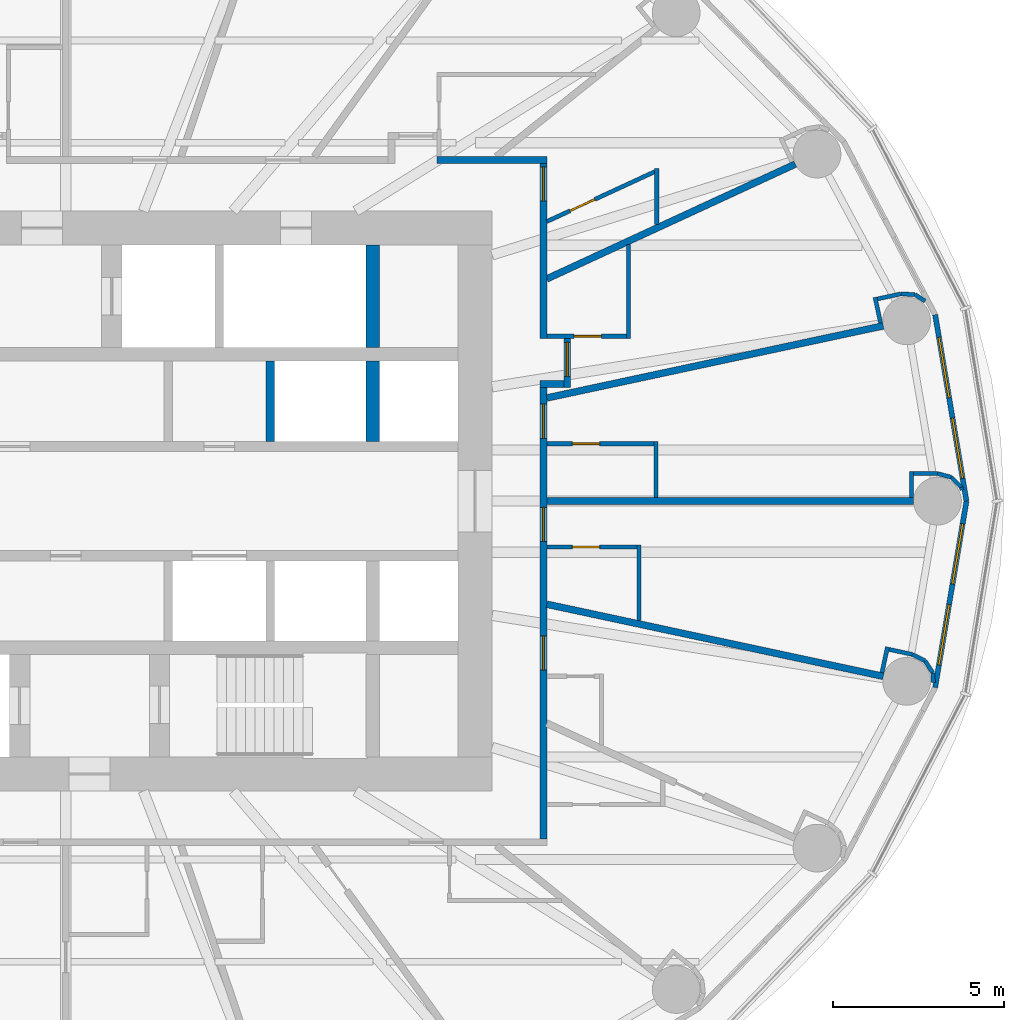
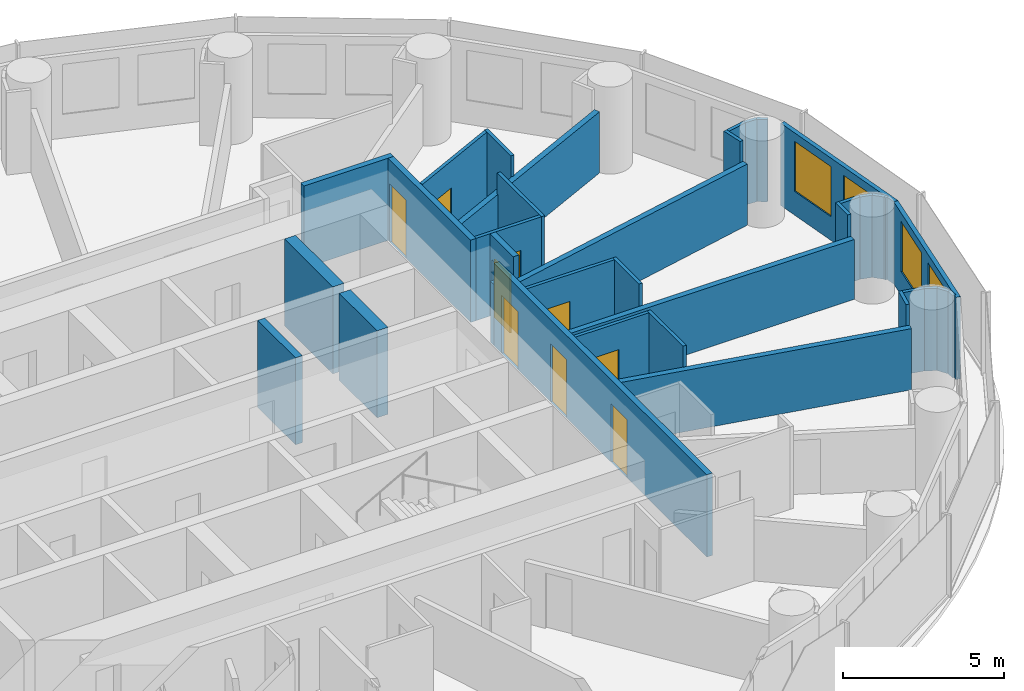
# One storey, part 11 of 16: 36 walls, 9 doors, 4 windows, 13 openings.
"""IFC4 building model written with IfcOpenShell, lengths in metres."""

from ifc_helpers import new_model, si_unit, direction, frame, frame_2d, origin, place, context, subcontext, project, spatial, rectangle, extrude, material, layer, layer_set, type_object, element, fill, save


model = new_model("IFC4")

# Units and contexts
model_context = context("Model", 3, precision=1e-05, world=origin(), true_north=direction((0.0, 1.0)))
body_context = subcontext(model_context, "Body", "Model", "MODEL_VIEW")
ifc_project = project(units=[si_unit("LENGTHUNIT", "METRE"), si_unit("AREAUNIT", "SQUARE_METRE"), si_unit("VOLUMEUNIT", "CUBIC_METRE"), si_unit("PLANEANGLEUNIT", "RADIAN"), si_unit("MASSUNIT", "GRAM", prefix="KILO")], contexts=[model_context])

# Site, building, storey
site_placement = place(None, origin())
site = spatial("IfcSite", under=ifc_project, at=site_placement, CompositionType="ELEMENT")
building_placement = place(site_placement, origin())
building = spatial("IfcBuilding", under=site, at=building_placement, Name="Hankou Lantern Tower", CompositionType="ELEMENT")
storey_placement = place(building_placement, frame((0.0, 0.0, 73.800048828125)))
storey = spatial("IfcBuildingStorey", under=building, at=storey_placement, Name="L18", CompositionType="ELEMENT", Elevation=73.800048828125)

# Walls
ifc_material_1 = material(Name="Concrete C60", Category="concrete")
ifc_layer_1 = layer(ifc_material_1, 0.39990234375)
ifc_layer_set_1 = layer_set([ifc_layer_1], Name="Concrete C60")
wall_type_1 = type_object("IfcWallType", Name="CW4 CORE CROSS WALL 400", PredefinedType="SHEAR", material=ifc_layer_set_1)
wall_1_placement = place(storey_placement, frame((9.0, 4.5, 0.0), z_axis=(0.0, 0.0, 1.0), x_axis=(0.0, 1.0, 0.0)))
element("IfcWall", 1, at=wall_1_placement, inside=storey, type_object=wall_type_1, Name="Core strip wall L18", PredefinedType="SHEAR", context=body_context, shape_type="SweptSolid", body=[
    extrude(rectangle(XDim=3.0, YDim=0.39990234375, at=frame_2d((1.5, 0.0))), origin(), (0.0, 0.0, 1.0), 3.300048828125),
])
wall_2_placement = place(storey_placement, frame((9.0, 1.75, 0.0), z_axis=(0.0, 0.0, 1.0), x_axis=(0.0, 1.0, 0.0)))
element("IfcWall", 2, at=wall_2_placement, inside=storey, type_object=wall_type_1, Name="Core strip wall L18", PredefinedType="SHEAR", context=body_context, shape_type="SweptSolid", body=[
    extrude(rectangle(XDim=2.35009765625, YDim=0.39990234375, at=frame_2d((1.175048828125, 0.0))), origin(), (0.0, 0.0, 1.0), 3.300048828125),
])

# Wall, openings, windows
ifc_material_2 = material(Name="Aluminium spandrel panel on steel studs", Category="steel")
ifc_layer_2 = layer(ifc_material_2, 0.14990234375)
ifc_layer_set_2 = layer_set([ifc_layer_2], Name="Aluminium spandrel panel on steel studs")
wall_type_2 = type_object("IfcWallType", Name="EW1 INNER SKIN WALL 150", PredefinedType="ELEMENTEDWALL", material=ifc_layer_set_2)
wall_3_placement = place(storey_placement, frame((26.39990234375, 0.0, 0.0), z_axis=(0.0, 0.0, 1.0), x_axis=(-0.165642551694, 0.986185857264, 0.0)))
wall_3 = element("IfcWall", 3, at=wall_3_placement, inside=storey, type_object=wall_type_2, Name="Inner skin R01-R02 L18", PredefinedType="ELEMENTEDWALL", context=body_context, shape_type="SweptSolid", body=[
    extrude(rectangle(XDim=5.538818359375, YDim=0.14990234375, at=frame_2d((2.76953125, 0.0))), origin(), (0.0, 0.0, 1.0), 3.119873046875),
])
opening_1_placement = place(wall_3_placement, frame((0.66943359375, 0.0, 0.89990234375)))
opening_1 = element("IfcOpeningElement", 4, at=opening_1_placement, cuts=wall_3, Name="Opening W1", PredefinedType="OPENING", context=body_context, shape_type="SweptSolid", body=[
    extrude(rectangle(XDim=1.800048828125, YDim=1.89990234375, at=frame_2d((0.89990234375, 0.949951171875))), frame((0.0, 0.0849609375, 0.0), z_axis=(0.0, -1.0, 0.0), x_axis=(1.0, 0.0, 0.0)), (0.0, 0.0, 1.0), 0.169921875),
])
opening_2_placement = place(wall_3_placement, frame((3.069580078125, 0.0, 0.89990234375)))
opening_2 = element("IfcOpeningElement", 5, at=opening_2_placement, cuts=wall_3, Name="Opening W1", PredefinedType="OPENING", context=body_context, shape_type="SweptSolid", body=[
    extrude(rectangle(XDim=1.800048828125, YDim=1.89990234375, at=frame_2d((0.89990234375, 0.949951171875))), frame((0.0, 0.0849609375, 0.0), z_axis=(0.0, -1.0, 0.0), x_axis=(1.0, 0.0, 0.0)), (0.0, 0.0, 1.0), 0.169921875),
])
ifc_material_3 = material(Name="Aluminium framed double glazed window", Category="aluminium")
window_type = type_object("IfcWindowType", Name="W1 GUEST ROOM WINDOW 1800X1900", PartitioningType="DOUBLE_PANEL_VERTICAL", PredefinedType="WINDOW", material=ifc_material_3)
window_1_placement = place(opening_1_placement, origin())
window_1 = element("IfcWindow", 6, at=window_1_placement, inside=storey, type_object=window_type, Name="Window R01.1 L18", OverallHeight=1.89990234375, OverallWidth=1.800048828125, PartitioningType="SINGLE_PANEL", PredefinedType="WINDOW", context=body_context, shape_type="SweptSolid", body=[
    extrude(rectangle(XDim=1.800048828125, YDim=1.89990234375, at=frame_2d((0.89990234375, 0.949951171875))), frame((0.0, 0.030029296875, 0.0), z_axis=(0.0, -1.0, 0.0), x_axis=(1.0, 0.0, 0.0)), (0.0, 0.0, 1.0), 0.06005859375),
])
fill(opening_1, window_1)
window_2_placement = place(opening_2_placement, origin())
window_2 = element("IfcWindow", 7, at=window_2_placement, inside=storey, type_object=window_type, Name="Window R01.2 L18", OverallHeight=1.89990234375, OverallWidth=1.800048828125, PartitioningType="SINGLE_PANEL", PredefinedType="WINDOW", context=body_context, shape_type="SweptSolid", body=[
    extrude(rectangle(XDim=1.800048828125, YDim=1.89990234375, at=frame_2d((0.89990234375, 0.949951171875))), frame((0.0, 0.030029296875, 0.0), z_axis=(0.0, -1.0, 0.0), x_axis=(1.0, 0.0, 0.0)), (0.0, 0.0, 1.0), 0.06005859375),
])
fill(opening_2, window_2)

wall_4_placement = place(storey_placement, frame((25.482421875, -5.46240234375, 0.0), z_axis=(0.0, 0.0, 1.0), x_axis=(0.165642551694, 0.986185857264, 0.0)))
wall_4 = element("IfcWall", 8, at=wall_4_placement, inside=storey, type_object=wall_type_2, Name="Inner skin R24-R01 L18", PredefinedType="ELEMENTEDWALL", context=body_context, shape_type="SweptSolid", body=[
    extrude(rectangle(XDim=5.538818359375, YDim=0.14990234375, at=frame_2d((2.76953125, 0.0))), origin(), (0.0, 0.0, 1.0), 3.119873046875),
])
opening_3_placement = place(wall_4_placement, frame((0.66943359375, 0.0, 0.89990234375)))
opening_3 = element("IfcOpeningElement", 9, at=opening_3_placement, cuts=wall_4, Name="Opening W1", PredefinedType="OPENING", context=body_context, shape_type="SweptSolid", body=[
    extrude(rectangle(XDim=1.800048828125, YDim=1.89990234375, at=frame_2d((0.89990234375, 0.949951171875))), frame((0.0, 0.0849609375, 0.0), z_axis=(0.0, -1.0, 0.0), x_axis=(1.0, 0.0, 0.0)), (0.0, 0.0, 1.0), 0.169921875),
])
opening_4_placement = place(wall_4_placement, frame((3.069580078125, 0.0, 0.89990234375)))
opening_4 = element("IfcOpeningElement", 10, at=opening_4_placement, cuts=wall_4, Name="Opening W1", PredefinedType="OPENING", context=body_context, shape_type="SweptSolid", body=[
    extrude(rectangle(XDim=1.800048828125, YDim=1.89990234375, at=frame_2d((0.89990234375, 0.949951171875))), frame((0.0, 0.0849609375, 0.0), z_axis=(0.0, -1.0, 0.0), x_axis=(1.0, 0.0, 0.0)), (0.0, 0.0, 1.0), 0.169921875),
])
window_3_placement = place(opening_3_placement, origin())
window_3 = element("IfcWindow", 11, at=window_3_placement, inside=storey, type_object=window_type, Name="Window R24.1 L18", OverallHeight=1.89990234375, OverallWidth=1.800048828125, PartitioningType="SINGLE_PANEL", PredefinedType="WINDOW", context=body_context, shape_type="SweptSolid", body=[
    extrude(rectangle(XDim=1.800048828125, YDim=1.89990234375, at=frame_2d((0.89990234375, 0.949951171875))), frame((0.0, 0.030029296875, 0.0), z_axis=(0.0, -1.0, 0.0), x_axis=(1.0, 0.0, 0.0)), (0.0, 0.0, 1.0), 0.06005859375),
])
fill(opening_3, window_3)
window_4_placement = place(opening_4_placement, origin())
window_4 = element("IfcWindow", 12, at=window_4_placement, inside=storey, type_object=window_type, Name="Window R24.2 L18", OverallHeight=1.89990234375, OverallWidth=1.800048828125, PartitioningType="SINGLE_PANEL", PredefinedType="WINDOW", context=body_context, shape_type="SweptSolid", body=[
    extrude(rectangle(XDim=1.800048828125, YDim=1.89990234375, at=frame_2d((0.89990234375, 0.949951171875))), frame((0.0, 0.030029296875, 0.0), z_axis=(0.0, -1.0, 0.0), x_axis=(1.0, 0.0, 0.0)), (0.0, 0.0, 1.0), 0.06005859375),
])
fill(opening_4, window_4)

# Walls
ifc_material_4 = material(Name="Masonry lightweight concrete block", Category="masonry")
ifc_layer_3 = layer(ifc_material_4, 0.199951171875)
ifc_layer_set_3 = layer_set([ifc_layer_3], Name="Masonry lightweight concrete block")
wall_type_3 = type_object("IfcWallType", Name="IW1 GUEST ROOM PARTY WALL 200", PredefinedType="PARTITIONING", material=ifc_layer_set_3)
wall_5_placement = place(storey_placement, frame((14.10009765625, 0.0, 0.0), z_axis=(0.0, 0.0, 1.0), x_axis=(1.0, 0.0, 0.0)))
element("IfcWall", 13, at=wall_5_placement, inside=storey, type_object=wall_type_3, Name="Party wall R01", PredefinedType="PARTITIONING", context=body_context, shape_type="SweptSolid", body=[
    extrude(rectangle(XDim=10.75, YDim=0.199951171875, at=frame_2d((5.375, 0.0))), origin(), (0.0, 0.0, 1.0), 2.27001953125),
])
wall_6_placement = place(storey_placement, frame((14.10009765625, 3.0224609375, 0.0), z_axis=(0.0, 0.0, 1.0), x_axis=(0.977790014929, 0.209586943072, 0.0)))
element("IfcWall", 14, at=wall_6_placement, inside=storey, type_object=wall_type_3, Name="Party wall R02", PredefinedType="PARTITIONING", context=body_context, shape_type="SweptSolid", body=[
    extrude(rectangle(XDim=10.086669921875, YDim=0.199951171875, at=frame_2d((5.04345703125, 0.0))), origin(), (0.0, 0.0, 1.0), 2.320068359375),
])
wall_7_placement = place(storey_placement, frame((14.10009765625, 6.512451171875, 0.0), z_axis=(0.0, 0.0, 1.0), x_axis=(0.907832871056, 0.419332181247, 0.0)))
element("IfcWall", 15, at=wall_7_placement, inside=storey, type_object=wall_type_3, Name="Party wall R03", PredefinedType="PARTITIONING", context=body_context, shape_type="SweptSolid", body=[
    extrude(rectangle(XDim=8.02294921875, YDim=0.199951171875, at=frame_2d((4.011474609375, 0.0))), origin(), (0.0, 0.0, 1.0), 2.320068359375),
])
wall_8_placement = place(storey_placement, frame((14.10009765625, -3.0224609375, 0.0), z_axis=(0.0, 0.0, 1.0), x_axis=(0.977790014929, -0.209586943072, 0.0)))
element("IfcWall", 16, at=wall_8_placement, inside=storey, type_object=wall_type_3, Name="Party wall R24", PredefinedType="PARTITIONING", context=body_context, shape_type="SweptSolid", body=[
    extrude(rectangle(XDim=10.086669921875, YDim=0.199951171875, at=frame_2d((5.04345703125, 0.0))), origin(), (0.0, 0.0, 1.0), 2.320068359375),
])

# Wall, opening, door
ifc_material_5 = material(Name="Masonry lightweight concrete block", Category="masonry")
ifc_layer_4 = layer(ifc_material_5, 0.199951171875)
ifc_layer_set_4 = layer_set([ifc_layer_4], Name="Masonry lightweight concrete block")
wall_type_4 = type_object("IfcWallType", Name="IW2 CORRIDOR WALL 200", PredefinedType="PARTITIONING", material=ifc_layer_set_4)
wall_9_placement = place(storey_placement, frame((14.699951171875, 3.33251953125, 0.0), z_axis=(0.0, 0.0, 1.0), x_axis=(0.0, 1.0, 0.0)))
wall_9 = element("IfcWall", 17, at=wall_9_placement, inside=storey, type_object=wall_type_4, Name="Corridor recess wall 1807 back", PredefinedType="PARTITIONING", context=body_context, shape_type="SweptSolid", body=[
    extrude(rectangle(XDim=1.43994140625, YDim=0.199951171875, at=frame_2d((0.719970703125, 0.0))), origin(), (0.0, 0.0, 1.0), 3.119873046875),
])
opening_5_placement = place(wall_9_placement, frame((0.320068359375, 0.0, 0.0)))
opening_5 = element("IfcOpeningElement", 18, at=opening_5_placement, cuts=wall_9, Name="Opening D1", PredefinedType="OPENING", context=body_context, shape_type="SweptSolid", body=[
    extrude(rectangle(XDim=1.0, YDim=2.199951171875, at=frame_2d((0.5, 1.10009765625))), frame((0.0, 0.10986328125, 0.0), z_axis=(0.0, -1.0, 0.0), x_axis=(1.0, 0.0, 0.0)), (0.0, 0.0, 1.0), 0.219970703125),
])
ifc_material_6 = material(Name="Steel door leaf", Category="steel")
door_type_1 = type_object("IfcDoorType", Name="D1 GUEST ROOM DOOR 1000X2200", OperationType="SINGLE_SWING_LEFT", PredefinedType="DOOR", material=ifc_material_6)
door_1_placement = place(opening_5_placement, origin())
door_1 = element("IfcDoor", 19, at=door_1_placement, inside=storey, type_object=door_type_1, Name="Guest room door 1807", OperationType="SINGLE_SWING_RIGHT", OverallHeight=2.199951171875, OverallWidth=1.0, PredefinedType="DOOR", context=body_context, shape_type="SweptSolid", body=[
    extrude(rectangle(XDim=1.0, YDim=2.199951171875, at=frame_2d((0.5, 1.10009765625))), frame((0.0, 0.02490234375, 0.0), z_axis=(0.0, -1.0, 0.0), x_axis=(1.0, 0.0, 0.0)), (0.0, 0.0, 1.0), 0.050048828125),
])
fill(opening_5, door_1)

# Wall
wall_10_placement = place(storey_placement, frame((13.89990234375, 3.4326171875, 0.0), z_axis=(0.0, 0.0, 1.0), x_axis=(1.0, 0.0, 0.0)))
element("IfcWall", 20, at=wall_10_placement, inside=storey, type_object=wall_type_4, Name="Corridor recess wall 1807 side", PredefinedType="PARTITIONING", context=body_context, shape_type="SweptSolid", body=[
    extrude(rectangle(XDim=0.7001953125, YDim=0.199951171875, at=frame_2d((0.35009765625, 0.0))), origin(), (0.0, 0.0, 1.0), 2.320068359375),
])

# Wall, openings, doors
wall_11_placement = place(storey_placement, frame((14.0, -9.89990234375, 0.0), z_axis=(0.0, 0.0, 1.0), x_axis=(0.0, 1.0, 0.0)))
wall_11 = element("IfcWall", 21, at=wall_11_placement, inside=storey, type_object=wall_type_4, Name="Corridor wall east", PredefinedType="PARTITIONING", context=body_context, shape_type="SweptSolid", body=[
    extrude(rectangle(XDim=13.232421875, YDim=0.199951171875, at=frame_2d((6.6162109375, 0.0))), origin(), (0.0, 0.0, 1.0), 3.119873046875),
])
opening_6_placement = place(wall_11_placement, frame((4.947509765625, 0.0, 0.0)))
opening_6 = element("IfcOpeningElement", 22, at=opening_6_placement, cuts=wall_11, Name="Opening D2", PredefinedType="OPENING", context=body_context, shape_type="SweptSolid", body=[
    extrude(rectangle(XDim=1.0, YDim=2.199951171875, at=frame_2d((0.5, 1.10009765625))), frame((0.0, 0.10986328125, 0.0), z_axis=(0.0, -1.0, 0.0), x_axis=(1.0, 0.0, 0.0)), (0.0, 0.0, 1.0), 0.219970703125),
])
opening_7_placement = place(wall_11_placement, frame((8.717529296875, 0.0, 0.0)))
opening_7 = element("IfcOpeningElement", 23, at=opening_7_placement, cuts=wall_11, Name="Opening D1", PredefinedType="OPENING", context=body_context, shape_type="SweptSolid", body=[
    extrude(rectangle(XDim=1.0, YDim=2.199951171875, at=frame_2d((0.5, 1.10009765625))), frame((0.0, 0.10986328125, 0.0), z_axis=(0.0, -1.0, 0.0), x_axis=(1.0, 0.0, 0.0)), (0.0, 0.0, 1.0), 0.219970703125),
])
opening_8_placement = place(wall_11_placement, frame((11.739990234375, 0.0, 0.0)))
opening_8 = element("IfcOpeningElement", 24, at=opening_8_placement, cuts=wall_11, Name="Opening D1", PredefinedType="OPENING", context=body_context, shape_type="SweptSolid", body=[
    extrude(rectangle(XDim=1.0, YDim=2.199951171875, at=frame_2d((0.5, 1.10009765625))), frame((0.0, 0.10986328125, 0.0), z_axis=(0.0, -1.0, 0.0), x_axis=(1.0, 0.0, 0.0)), (0.0, 0.0, 1.0), 0.219970703125),
])
door_2_placement = place(opening_7_placement, origin())
door_2 = element("IfcDoor", 25, at=door_2_placement, inside=storey, type_object=door_type_1, Name="Guest room door 1805", OperationType="SINGLE_SWING_LEFT", OverallHeight=2.199951171875, OverallWidth=1.0, PredefinedType="DOOR", context=body_context, shape_type="SweptSolid", body=[
    extrude(rectangle(XDim=1.0, YDim=2.199951171875, at=frame_2d((0.5, 1.10009765625))), frame((0.0, 0.02490234375, 0.0), z_axis=(0.0, -1.0, 0.0), x_axis=(1.0, 0.0, 0.0)), (0.0, 0.0, 1.0), 0.050048828125),
])
fill(opening_7, door_2)
door_3_placement = place(opening_8_placement, origin())
door_3 = element("IfcDoor", 26, at=door_3_placement, inside=storey, type_object=door_type_1, Name="Guest room door 1806", OperationType="SINGLE_SWING_LEFT", OverallHeight=2.199951171875, OverallWidth=1.0, PredefinedType="DOOR", context=body_context, shape_type="SweptSolid", body=[
    extrude(rectangle(XDim=1.0, YDim=2.199951171875, at=frame_2d((0.5, 1.10009765625))), frame((0.0, 0.02490234375, 0.0), z_axis=(0.0, -1.0, 0.0), x_axis=(1.0, 0.0, 0.0)), (0.0, 0.0, 1.0), 0.050048828125),
])
fill(opening_8, door_3)
ifc_material_7 = material(Name="Steel door leaf", Category="steel")
door_type_2 = type_object("IfcDoorType", Name="D2 SUITE DOOR 1000X2200", OperationType="SINGLE_SWING_LEFT", PredefinedType="DOOR", material=ifc_material_7)
door_4_placement = place(opening_6_placement, origin())
door_4 = element("IfcDoor", 27, at=door_4_placement, inside=storey, type_object=door_type_2, Name="Suite door 1804C", OperationType="SINGLE_SWING_LEFT", OverallHeight=2.199951171875, OverallWidth=1.0, PredefinedType="DOOR", context=body_context, shape_type="SweptSolid", body=[
    extrude(rectangle(XDim=1.0, YDim=2.199951171875, at=frame_2d((0.5, 1.10009765625))), frame((0.0, 0.02490234375, 0.0), z_axis=(0.0, -1.0, 0.0), x_axis=(1.0, 0.0, 0.0)), (0.0, 0.0, 1.0), 0.050048828125),
])
fill(opening_6, door_4)

# Wall, opening, door
wall_12_placement = place(storey_placement, frame((14.0, 4.7724609375, 0.0), z_axis=(0.0, 0.0, 1.0), x_axis=(0.0, 1.0, 0.0)))
wall_12 = element("IfcWall", 28, at=wall_12_placement, inside=storey, type_object=wall_type_4, Name="Corridor wall east", PredefinedType="PARTITIONING", context=body_context, shape_type="SweptSolid", body=[
    extrude(rectangle(XDim=5.12744140625, YDim=0.199951171875, at=frame_2d((2.563720703125, 0.0))), origin(), (0.0, 0.0, 1.0), 3.119873046875),
])
opening_9_placement = place(wall_12_placement, frame((4.02490234375, 0.0, 0.0)))
opening_9 = element("IfcOpeningElement", 29, at=opening_9_placement, cuts=wall_12, Name="Opening D1", PredefinedType="OPENING", context=body_context, shape_type="SweptSolid", body=[
    extrude(rectangle(XDim=1.0, YDim=2.199951171875, at=frame_2d((0.5, 1.10009765625))), frame((0.0, 0.10986328125, 0.0), z_axis=(0.0, -1.0, 0.0), x_axis=(1.0, 0.0, 0.0)), (0.0, 0.0, 1.0), 0.219970703125),
])
door_5_placement = place(opening_9_placement, origin())
door_5 = element("IfcDoor", 30, at=door_5_placement, inside=storey, type_object=door_type_1, Name="Guest room door 1808", OperationType="SINGLE_SWING_RIGHT", OverallHeight=2.199951171875, OverallWidth=1.0, PredefinedType="DOOR", context=body_context, shape_type="SweptSolid", body=[
    extrude(rectangle(XDim=1.0, YDim=2.199951171875, at=frame_2d((0.5, 1.10009765625))), frame((0.0, 0.02490234375, 0.0), z_axis=(0.0, -1.0, 0.0), x_axis=(1.0, 0.0, 0.0)), (0.0, 0.0, 1.0), 0.050048828125),
])
fill(opening_9, door_5)

# Walls
wall_13_placement = place(storey_placement, frame((10.885009765625, 10.0, 0.0), z_axis=(0.0, 0.0, 1.0), x_axis=(1.0, 0.0, 0.0)))
element("IfcWall", 31, at=wall_13_placement, inside=storey, type_object=wall_type_4, Name="Corridor wall north", PredefinedType="PARTITIONING", context=body_context, shape_type="SweptSolid", body=[
    extrude(rectangle(XDim=3.215087890625, YDim=0.199951171875, at=frame_2d((1.607421875, 0.0))), origin(), (0.0, 0.0, 1.0), 3.119873046875),
])
ifc_material_8 = material(Name="Masonry lightweight concrete block", Category="masonry")
ifc_layer_5 = layer(ifc_material_8, 0.1201171875)
ifc_layer_set_5 = layer_set([ifc_layer_5], Name="Masonry lightweight concrete block")
wall_type_5 = type_object("IfcWallType", Name="IW3 BATHROOM WALL 120", PredefinedType="PARTITIONING", material=ifc_layer_set_5)
wall_14_placement = place(storey_placement, frame((16.800048828125, -3.501220703125, 0.0), z_axis=(0.0, 0.0, 1.0), x_axis=(0.0, 1.0, 0.0)))
element("IfcWall", 32, at=wall_14_placement, inside=storey, type_object=wall_type_5, Name="Box wall 1805 1", PredefinedType="PARTITIONING", context=body_context, shape_type="SweptSolid", body=[
    extrude(rectangle(XDim=2.21875, YDim=0.1201171875, at=frame_2d((1.109375, 0.0))), origin(), (0.0, 0.0, 1.0), 3.119873046875),
])

# Wall, opening, door
wall_15_placement = place(storey_placement, frame((14.10009765625, -1.342529296875, 0.0), z_axis=(0.0, 0.0, 1.0), x_axis=(1.0, 0.0, 0.0)))
wall_15 = element("IfcWall", 33, at=wall_15_placement, inside=storey, type_object=wall_type_5, Name="Box wall 1805 1", PredefinedType="PARTITIONING", context=body_context, shape_type="SweptSolid", body=[
    extrude(rectangle(XDim=2.639892578125, YDim=0.1201171875, at=frame_2d((1.31982421875, 0.0))), origin(), (0.0, 0.0, 1.0), 3.119873046875),
])
opening_10_placement = place(wall_15_placement, frame((0.75, 0.0, 0.0)))
opening_10 = element("IfcOpeningElement", 34, at=opening_10_placement, cuts=wall_15, Name="Opening D3", PredefinedType="OPENING", context=body_context, shape_type="SweptSolid", body=[
    extrude(rectangle(XDim=0.800048828125, YDim=2.10009765625, at=frame_2d((0.39990234375, 1.050048828125))), frame((0.0, 0.070068359375, 0.0), z_axis=(0.0, -1.0, 0.0), x_axis=(1.0, 0.0, 0.0)), (0.0, 0.0, 1.0), 0.14013671875),
])
ifc_material_9 = material(Name="Timber door leaf", Category="wood")
door_type_3 = type_object("IfcDoorType", Name="D3 BATHROOM DOOR 800X2100", OperationType="SINGLE_SWING_LEFT", PredefinedType="DOOR", material=ifc_material_9)
door_6_placement = place(opening_10_placement, origin())
door_6 = element("IfcDoor", 35, at=door_6_placement, inside=storey, type_object=door_type_3, Name="En-suite bathroom 1805 door", OperationType="SINGLE_SWING_LEFT", OverallHeight=2.10009765625, OverallWidth=0.800048828125, PredefinedType="DOOR", context=body_context, shape_type="SweptSolid", body=[
    extrude(rectangle(XDim=0.800048828125, YDim=2.10009765625, at=frame_2d((0.39990234375, 1.050048828125))), frame((0.0, 0.02490234375, 0.0), z_axis=(0.0, -1.0, 0.0), x_axis=(1.0, 0.0, 0.0)), (0.0, 0.0, 1.0), 0.050048828125),
])
fill(opening_10, door_6)

# Wall
wall_16_placement = place(storey_placement, frame((17.300048828125, 0.10009765625, 0.0), z_axis=(0.0, 0.0, 1.0), x_axis=(0.0, 1.0, 0.0)))
element("IfcWall", 36, at=wall_16_placement, inside=storey, type_object=wall_type_5, Name="Box wall 1806 1", PredefinedType="PARTITIONING", context=body_context, shape_type="SweptSolid", body=[
    extrude(rectangle(XDim=1.639892578125, YDim=0.1201171875, at=frame_2d((0.81982421875, 0.0))), origin(), (0.0, 0.0, 1.0), 3.119873046875),
])

# Wall, opening, door
wall_17_placement = place(storey_placement, frame((14.10009765625, 1.679931640625, 0.0), z_axis=(0.0, 0.0, 1.0), x_axis=(1.0, 0.0, 0.0)))
wall_17 = element("IfcWall", 37, at=wall_17_placement, inside=storey, type_object=wall_type_5, Name="Box wall 1806 1", PredefinedType="PARTITIONING", context=body_context, shape_type="SweptSolid", body=[
    extrude(rectangle(XDim=3.139892578125, YDim=0.1201171875, at=frame_2d((1.56982421875, 0.0))), origin(), (0.0, 0.0, 1.0), 3.119873046875),
])
opening_11_placement = place(wall_17_placement, frame((0.75, 0.0, 0.0)))
opening_11 = element("IfcOpeningElement", 38, at=opening_11_placement, cuts=wall_17, Name="Opening D3", PredefinedType="OPENING", context=body_context, shape_type="SweptSolid", body=[
    extrude(rectangle(XDim=0.800048828125, YDim=2.10009765625, at=frame_2d((0.39990234375, 1.050048828125))), frame((0.0, 0.070068359375, 0.0), z_axis=(0.0, -1.0, 0.0), x_axis=(1.0, 0.0, 0.0)), (0.0, 0.0, 1.0), 0.14013671875),
])
door_7_placement = place(opening_11_placement, origin())
door_7 = element("IfcDoor", 39, at=door_7_placement, inside=storey, type_object=door_type_3, Name="En-suite bathroom 1806 door", OperationType="SINGLE_SWING_LEFT", OverallHeight=2.10009765625, OverallWidth=0.800048828125, PredefinedType="DOOR", context=body_context, shape_type="SweptSolid", body=[
    extrude(rectangle(XDim=0.800048828125, YDim=2.10009765625, at=frame_2d((0.39990234375, 1.050048828125))), frame((0.0, 0.02490234375, 0.0), z_axis=(0.0, -1.0, 0.0), x_axis=(1.0, 0.0, 0.0)), (0.0, 0.0, 1.0), 0.050048828125),
])
fill(opening_11, door_7)

# Wall
wall_18_placement = place(storey_placement, frame((16.5, 7.52099609375, 0.0), z_axis=(0.0, 0.0, 1.0), x_axis=(0.0, -1.0, 0.0)))
element("IfcWall", 40, at=wall_18_placement, inside=storey, type_object=wall_type_5, Name="Box wall 1807 1", PredefinedType="PARTITIONING", context=body_context, shape_type="SweptSolid", body=[
    extrude(rectangle(XDim=2.74853515625, YDim=0.1201171875, at=frame_2d((1.374267578125, 0.0))), origin(), (0.0, 0.0, 1.0), 3.119873046875),
])

# Wall, opening, door
wall_19_placement = place(storey_placement, frame((14.10009765625, 4.83251953125, 0.0), z_axis=(0.0, 0.0, 1.0), x_axis=(1.0, 0.0, 0.0)))
wall_19 = element("IfcWall", 41, at=wall_19_placement, inside=storey, type_object=wall_type_5, Name="Box wall 1807 1", PredefinedType="PARTITIONING", context=body_context, shape_type="SweptSolid", body=[
    extrude(rectangle(XDim=2.33984375, YDim=0.1201171875, at=frame_2d((1.169921875, 0.0))), origin(), (0.0, 0.0, 1.0), 3.119873046875),
])
opening_12_placement = place(wall_19_placement, frame((0.800048828125, 0.0, 0.0)))
opening_12 = element("IfcOpeningElement", 42, at=opening_12_placement, cuts=wall_19, Name="Opening D3", PredefinedType="OPENING", context=body_context, shape_type="SweptSolid", body=[
    extrude(rectangle(XDim=0.800048828125, YDim=2.10009765625, at=frame_2d((0.39990234375, 1.050048828125))), frame((0.0, 0.070068359375, 0.0), z_axis=(0.0, -1.0, 0.0), x_axis=(1.0, 0.0, 0.0)), (0.0, 0.0, 1.0), 0.14013671875),
])
door_8_placement = place(opening_12_placement, origin())
door_8 = element("IfcDoor", 43, at=door_8_placement, inside=storey, type_object=door_type_3, Name="En-suite bathroom 1807 door", OperationType="SINGLE_SWING_RIGHT", OverallHeight=2.10009765625, OverallWidth=0.800048828125, PredefinedType="DOOR", context=body_context, shape_type="SweptSolid", body=[
    extrude(rectangle(XDim=0.800048828125, YDim=2.10009765625, at=frame_2d((0.39990234375, 1.050048828125))), frame((0.0, 0.02490234375, 0.0), z_axis=(0.0, -1.0, 0.0), x_axis=(1.0, 0.0, 0.0)), (0.0, 0.0, 1.0), 0.050048828125),
])
fill(opening_12, door_8)

# Wall
wall_20_placement = place(storey_placement, frame((17.32275390625, 8.10107421875, 0.0), z_axis=(0.0, 0.0, 1.0), x_axis=(0.0, 1.0, 0.0)))
element("IfcWall", 44, at=wall_20_placement, inside=storey, type_object=wall_type_5, Name="Box wall 1808 1", PredefinedType="PARTITIONING", context=body_context, shape_type="SweptSolid", body=[
    extrude(rectangle(XDim=1.639892578125, YDim=0.1201171875, at=frame_2d((0.81982421875, 0.0))), origin(), (0.0, 0.0, 1.0), 3.119873046875),
])

# Wall, opening, door
wall_21_placement = place(storey_placement, frame((14.10009765625, 8.192626953125, 0.0), z_axis=(0.0, 0.0, 1.0), x_axis=(0.907836493557, 0.419324338628, 0.0)))
wall_21 = element("IfcWall", 45, at=wall_21_placement, inside=storey, type_object=wall_type_5, Name="Box wall 1808 1", PredefinedType="PARTITIONING", context=body_context, shape_type="SweptSolid", body=[
    extrude(rectangle(XDim=3.48974609375, YDim=0.1201171875, at=frame_2d((1.744873046875, 0.0))), origin(), (0.0, 0.0, 1.0), 3.119873046875),
])
opening_13_placement = place(wall_21_placement, frame((0.75, 0.0, 0.0)))
opening_13 = element("IfcOpeningElement", 46, at=opening_13_placement, cuts=wall_21, Name="Opening D3", PredefinedType="OPENING", context=body_context, shape_type="SweptSolid", body=[
    extrude(rectangle(XDim=0.800048828125, YDim=2.10009765625, at=frame_2d((0.39990234375, 1.050048828125))), frame((0.0, 0.070068359375, 0.0), z_axis=(0.0, -1.0, 0.0), x_axis=(1.0, 0.0, 0.0)), (0.0, 0.0, 1.0), 0.14013671875),
])
door_9_placement = place(opening_13_placement, origin())
door_9 = element("IfcDoor", 47, at=door_9_placement, inside=storey, type_object=door_type_3, Name="En-suite bathroom 1808 door", OperationType="SINGLE_SWING_LEFT", OverallHeight=2.10009765625, OverallWidth=0.800048828125, PredefinedType="DOOR", context=body_context, shape_type="SweptSolid", body=[
    extrude(rectangle(XDim=0.800048828125, YDim=2.10009765625, at=frame_2d((0.39990234375, 1.050048828125))), frame((0.0, 0.02490234375, 0.0), z_axis=(0.0, -1.0, 0.0), x_axis=(1.0, 0.0, 0.0)), (0.0, 0.0, 1.0), 0.050048828125),
])
fill(opening_13, door_9)

# Walls
ifc_material_10 = material(Name="Masonry lightweight concrete block", Category="masonry")
ifc_layer_6 = layer(ifc_material_10, 0.1201171875)
ifc_layer_set_6 = layer_set([ifc_layer_6], Name="Masonry lightweight concrete block")
wall_type_6 = type_object("IfcWallType", Name="IW4 PARTITION 120", PredefinedType="PARTITIONING", material=ifc_layer_set_6)
wall_22_placement = place(storey_placement, frame((24.7900390625, 0.10009765625, 0.0), z_axis=(0.0, 0.0, 1.0), x_axis=(0.0, 1.0, 0.0)))
element("IfcWall", 48, at=wall_22_placement, inside=storey, type_object=wall_type_6, Name="Column casing R01 return", PredefinedType="PARTITIONING", context=body_context, shape_type="SweptSolid", body=[
    extrude(rectangle(XDim=0.767333984375, YDim=0.1201171875, at=frame_2d((0.3837890625, 0.0))), origin(), (0.0, 0.0, 1.0), 3.119873046875),
])
wall_23_placement = place(storey_placement, frame((24.85009765625, 0.8076171875, 0.0), z_axis=(0.0, 0.0, 1.0), x_axis=(1.0, 0.0, 0.0)))
element("IfcWall", 49, at=wall_23_placement, inside=storey, type_object=wall_type_6, Name="Column casing R01", PredefinedType="PARTITIONING", context=body_context, shape_type="SweptSolid", body=[
    extrude(rectangle(XDim=0.699951171875, YDim=0.1201171875, at=frame_2d((0.35009765625, 0.0))), origin(), (0.0, 0.0, 1.0), 3.119873046875),
])
wall_24_placement = place(storey_placement, frame((25.550048828125, 0.8076171875, 0.0), z_axis=(0.0, 0.0, 1.0), x_axis=(0.965807183573, -0.2592614205, 0.0)))
element("IfcWall", 50, at=wall_24_placement, inside=storey, type_object=wall_type_6, Name="Column casing R01", PredefinedType="PARTITIONING", context=body_context, shape_type="SweptSolid", body=[
    extrude(rectangle(XDim=0.418212890625, YDim=0.1201171875, at=frame_2d((0.208984375, 0.0))), origin(), (0.0, 0.0, 1.0), 3.119873046875),
])
wall_25_placement = place(storey_placement, frame((25.953857421875, 0.69921875, 0.0), z_axis=(0.0, 0.0, 1.0), x_axis=(0.707106781187, -0.707106781187, 0.0)))
element("IfcWall", 51, at=wall_25_placement, inside=storey, type_object=wall_type_6, Name="Column casing R01", PredefinedType="PARTITIONING", context=body_context, shape_type="SweptSolid", body=[
    extrude(rectangle(XDim=0.417724609375, YDim=0.1201171875, at=frame_2d((0.208984375, 0.0))), origin(), (0.0, 0.0, 1.0), 3.119873046875),
])
wall_26_placement = place(storey_placement, frame((26.249267578125, 0.40380859375, 0.0), z_axis=(0.0, 0.0, 1.0), x_axis=(0.259754282609, -0.965674744759, 0.0)))
element("IfcWall", 52, at=wall_26_placement, inside=storey, type_object=wall_type_6, Name="Column casing R01", PredefinedType="PARTITIONING", context=body_context, shape_type="SweptSolid", body=[
    extrude(rectangle(XDim=0.079833984375, YDim=0.1201171875, at=frame_2d((0.0400390625, 0.0))), origin(), (0.0, 0.0, 1.0), 3.119873046875),
])
wall_27_placement = place(storey_placement, frame((23.8828125, 5.2216796875, 0.0), z_axis=(0.0, 0.0, 1.0), x_axis=(-0.209311842415, 0.977848941619, 0.0)))
element("IfcWall", 53, at=wall_27_placement, inside=storey, type_object=wall_type_6, Name="Column casing R02 return", PredefinedType="PARTITIONING", context=body_context, shape_type="SweptSolid", body=[
    extrude(rectangle(XDim=0.767578125, YDim=0.1201171875, at=frame_2d((0.3837890625, 0.0))), origin(), (0.0, 0.0, 1.0), 3.119873046875),
])
wall_28_placement = place(storey_placement, frame((23.793212890625, 5.92626953125, 0.0), z_axis=(0.0, 0.0, 1.0), x_axis=(0.977792206673, 0.209576717621, 0.0)))
element("IfcWall", 54, at=wall_28_placement, inside=storey, type_object=wall_type_6, Name="Column casing R02", PredefinedType="PARTITIONING", context=body_context, shape_type="SweptSolid", body=[
    extrude(rectangle(XDim=0.7001953125, YDim=0.1201171875, at=frame_2d((0.35009765625, 0.0))), origin(), (0.0, 0.0, 1.0), 3.119873046875),
])
wall_29_placement = place(storey_placement, frame((24.477783203125, 6.072998046875, 0.0), z_axis=(0.0, 0.0, 1.0), x_axis=(0.998708262812, -0.05081147302, 0.0)))
element("IfcWall", 55, at=wall_29_placement, inside=storey, type_object=wall_type_6, Name="Column casing R02", PredefinedType="PARTITIONING", context=body_context, shape_type="SweptSolid", body=[
    extrude(rectangle(XDim=0.41796875, YDim=0.1201171875, at=frame_2d((0.208984375, 0.0))), origin(), (0.0, 0.0, 1.0), 3.119873046875),
])
wall_30_placement = place(storey_placement, frame((24.895263671875, 6.0517578125, 0.0), z_axis=(0.0, 0.0, 1.0), x_axis=(0.839495197275, -0.54336710772, 0.0)))
element("IfcWall", 56, at=wall_30_placement, inside=storey, type_object=wall_type_6, Name="Column casing R02", PredefinedType="PARTITIONING", context=body_context, shape_type="SweptSolid", body=[
    extrude(rectangle(XDim=0.349609375, YDim=0.1201171875, at=frame_2d((0.1748046875, 0.0))), origin(), (0.0, 0.0, 1.0), 3.119873046875),
])
wall_31_placement = place(storey_placement, frame((23.9248046875, -5.026123046875, 0.0), z_axis=(0.0, 0.0, 1.0), x_axis=(0.209681192172, 0.977769808109, 0.0)))
element("IfcWall", 57, at=wall_31_placement, inside=storey, type_object=wall_type_6, Name="Column casing R24 return", PredefinedType="PARTITIONING", context=body_context, shape_type="SweptSolid", body=[
    extrude(rectangle(XDim=0.767333984375, YDim=0.1201171875, at=frame_2d((0.3837890625, 0.0))), origin(), (0.0, 0.0, 1.0), 3.119873046875),
])
wall_32_placement = place(storey_placement, frame((24.1318359375, -4.346923828125, 0.0), z_axis=(0.0, 0.0, 1.0), x_axis=(0.977776882509, -0.209648200638, 0.0)))
element("IfcWall", 58, at=wall_32_placement, inside=storey, type_object=wall_type_6, Name="Column casing R24", PredefinedType="PARTITIONING", context=body_context, shape_type="SweptSolid", body=[
    extrude(rectangle(XDim=0.699951171875, YDim=0.1201171875, at=frame_2d((0.35009765625, 0.0))), origin(), (0.0, 0.0, 1.0), 3.119873046875),
])
for number, where, z_axis, x_axis, name in (
    (59, (24.816162109375, -4.49365234375, 0.0), (0.0, 0.0, 1.0), (0.890303208847, -0.455368198623, 0.0), "Column casing R24"),
    (60, (25.1884765625, -4.68408203125, 0.0), (0.0, 0.0, 1.0), (0.543057568894, -0.839695466742, 0.0), "Column casing R24"),
):
    element("IfcWall", number, at=place(storey_placement, frame(where, z_axis=z_axis, x_axis=x_axis)), inside=storey, type_object=wall_type_6, Name=name, PredefinedType="PARTITIONING", context=body_context, shape_type="SweptSolid", body=[
        extrude(rectangle(XDim=0.418212890625, YDim=0.1201171875, at=frame_2d((0.208984375, 0.0))), origin(), (0.0, 0.0, 1.0), 3.119873046875),
    ])
wall_33_placement = place(storey_placement, frame((25.41552734375, -5.03515625, 0.0), z_axis=(0.0, 0.0, 1.0), x_axis=(0.050406329159, -0.998728793007, 0.0)))
element("IfcWall", 61, at=wall_33_placement, inside=storey, type_object=wall_type_6, Name="Column casing R24", PredefinedType="PARTITIONING", context=body_context, shape_type="SweptSolid", body=[
    extrude(rectangle(XDim=0.28564453125, YDim=0.1201171875, at=frame_2d((0.142822265625, 0.0))), origin(), (0.0, 0.0, 1.0), 3.119873046875),
])
ifc_material_11 = material(Name="Masonry autoclaved aerated concrete block", Category="masonry")
ifc_layer_7 = layer(ifc_material_11, 0.25)
ifc_layer_set_7 = layer_set([ifc_layer_7], Name="Masonry autoclaved aerated concrete block")
wall_type_7 = type_object("IfcWallType", Name="SW1 SHAFT BLOCK WALL 250", PredefinedType="PARTITIONING", material=ifc_layer_set_7)
wall_34_placement = place(storey_placement, frame((6.0, 1.75, 0.0), z_axis=(0.0, 0.0, 1.0), x_axis=(0.0, 1.0, 0.0)))
element("IfcWall", 62, at=wall_34_placement, inside=storey, type_object=wall_type_7, Name="Lift shaft wall L18", PredefinedType="PARTITIONING", context=body_context, shape_type="SweptSolid", body=[
    extrude(rectangle(XDim=2.35009765625, YDim=0.25, at=frame_2d((1.175048828125, 0.0))), origin(), (0.0, 0.0, 1.0), 3.300048828125),
])

save(model, "model.ifc")
